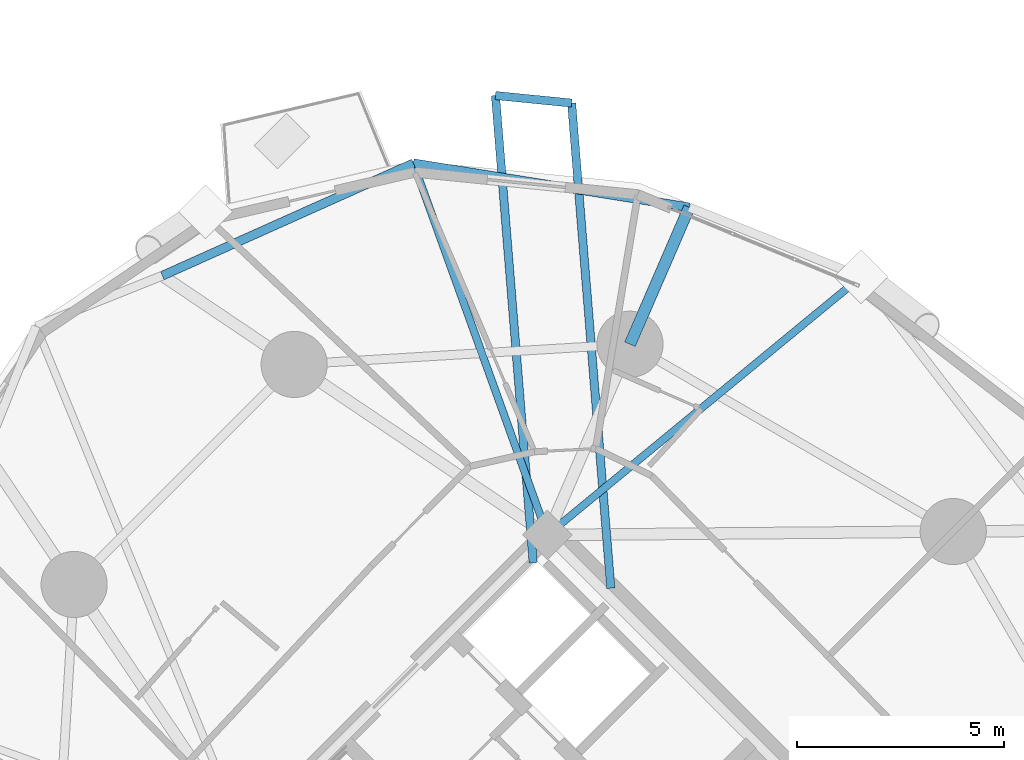
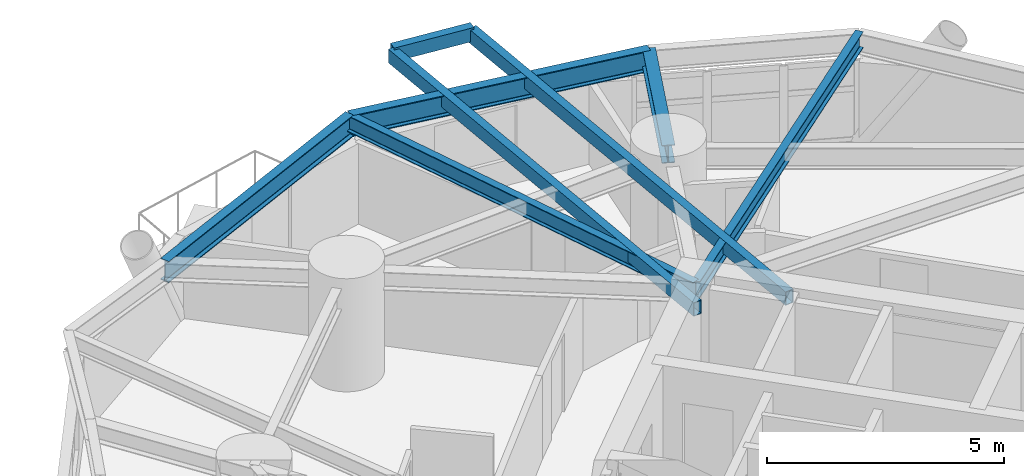
# One storey, part 6 of 19: 8 beams.
"""IFC4 building model written with IfcOpenShell, lengths in metres."""

from ifc_helpers import new_model, si_unit, direction, frame, origin, origin_2d, place, context, subcontext, project, spatial, hollow_rectangle, i_section, extrude, material, material_profile, profile_set, type_object, element, save


model = new_model("IFC4")

# Units and contexts
model_context = context("Model", 3, precision=1e-05, world=origin(), true_north=direction((0.0, 1.0)))
body_context = subcontext(model_context, "Body", "Model", "MODEL_VIEW")
ifc_project = project(units=[si_unit("LENGTHUNIT", "METRE"), si_unit("AREAUNIT", "SQUARE_METRE"), si_unit("VOLUMEUNIT", "CUBIC_METRE"), si_unit("PLANEANGLEUNIT", "RADIAN"), si_unit("MASSUNIT", "GRAM", prefix="KILO")], contexts=[model_context])

# Site, building, storey
site_placement = place(None, origin())
site = spatial("IfcSite", under=ifc_project, at=site_placement, CompositionType="ELEMENT")
building_placement = place(site_placement, origin())
building = spatial("IfcBuilding", under=site, at=building_placement, Name="Cununo Teusaquillo Station Towers", CompositionType="ELEMENT")
storey_placement = place(building_placement, frame((0.0, 0.0, 30.72998046875)))
storey = spatial("IfcBuildingStorey", under=building, at=storey_placement, Name="L08", CompositionType="ELEMENT", Elevation=30.72998046875)

# Beams
ifc_material_1 = material(Name="Steel EN 10025-2 S355J2", Category="steel")
ifc_material_profile_1 = material_profile(ifc_material_1, hollow_rectangle(XDim=0.199951171875, YDim=0.35009765625, WallThickness=0.013916015625, at=origin_2d()), Name="RHS 350x200x14")
ifc_profile_set_1 = profile_set([ifc_material_profile_1], Name="Steel EN 10025-2 S355J2")
beam_type_1 = type_object("IfcBeamType", Name="BM-BAL-CANT", PredefinedType="BEAM", material=ifc_profile_set_1)
beam_1_placement = place(storey_placement, frame((57.828369140625, 31.73779296875, 2.47509765625), z_axis=(-0.080548444941, 0.996750695017, 0.0), x_axis=(-0.996750695017, -0.080548444941, 0.0)))
element("IfcBeam", 1, at=beam_1_placement, inside=storey, type_object=beam_type_1, Name="L08 Tower B Balcony Cantilever Bracket 1A", PredefinedType="BEAM", context=body_context, shape_type="SweptSolid", body=[
    extrude(hollow_rectangle(XDim=0.199951171875, YDim=0.35009765625, WallThickness=0.013916015625, at=origin_2d()), origin(), (0.0, 0.0, 1.0), 11.766357421875),
])
beam_2_placement = place(storey_placement, frame((55.951904296875, 32.3564453125, 2.47509765625), z_axis=(-0.080535797419, 0.996751716996, 0.0), x_axis=(-0.996751716996, -0.080535797419, 0.0)))
element("IfcBeam", 2, at=beam_2_placement, inside=storey, type_object=beam_type_1, Name="L08 Tower B Balcony Cantilever Bracket 1B", PredefinedType="BEAM", context=body_context, shape_type="SweptSolid", body=[
    extrude(hollow_rectangle(XDim=0.199951171875, YDim=0.35009765625, WallThickness=0.013916015625, at=origin_2d()), origin(), (0.0, 0.0, 1.0), 11.32861328125),
])
ifc_material_2 = material(Name="Steel ASTM A572 Grade 50", Category="steel")
ifc_material_profile_2 = material_profile(ifc_material_2, i_section(OverallWidth=0.180908203125, OverallDepth=0.4169921875, WebThickness=0.010986328125, FlangeThickness=0.018310546875, FilletRadius=0.012939453125, at=origin_2d()), Name="W16X57")
ifc_profile_set_2 = profile_set([ifc_material_profile_2], Name="Steel ASTM A572 Grade 50")
beam_type_2 = type_object("IfcBeamType", Name="BM-JOIST-1", PredefinedType="JOIST", material=ifc_profile_set_2)
beam_3_placement = place(storey_placement, frame((56.29443359375, 33.024169921875, 2.44140625), z_axis=(0.772192093976, 0.635389148475, 0.0), x_axis=(-0.635389148475, 0.772192093976, 0.0)))
element("IfcBeam", 3, at=beam_3_placement, inside=storey, type_object=beam_type_2, Name="L08 Tower B Radial Spandrel Joist V01", PredefinedType="JOIST", context=body_context, shape_type="SweptSolid", body=[
    extrude(i_section(OverallWidth=0.180908203125, OverallDepth=0.4169921875, WebThickness=0.010986328125, FlangeThickness=0.018310546875, FilletRadius=0.012939453125, at=origin_2d()), origin(), (0.0, 0.0, 1.0), 9.82080078125),
])
beam_4_placement = place(storey_placement, frame((56.29443359375, 33.024169921875, 2.44140625), z_axis=(-0.33906787056, 0.940761914171, 0.0), x_axis=(-0.940761914171, -0.33906787056, 0.0)))
element("IfcBeam", 4, at=beam_4_placement, inside=storey, type_object=beam_type_2, Name="L08 Tower B Radial Spandrel Joist V03", PredefinedType="JOIST", context=body_context, shape_type="SweptSolid", body=[
    extrude(i_section(OverallWidth=0.180908203125, OverallDepth=0.4169921875, WebThickness=0.010986328125, FlangeThickness=0.018310546875, FilletRadius=0.012939453125, at=origin_2d()), origin(), (0.0, 0.0, 1.0), 9.552734375),
])
ifc_material_3 = material(Name="Steel ASTM A572 Grade 50", Category="steel")
ifc_material_profile_3 = material_profile(ifc_material_3, i_section(OverallWidth=0.280029296875, OverallDepth=0.462890625, WebThickness=0.0107421875, FlangeThickness=0.017333984375, FilletRadius=0.013916015625, at=origin_2d()), Name="W18X76")
ifc_profile_set_3 = profile_set([ifc_material_profile_3], Name="Steel ASTM A572 Grade 50")
beam_type_3 = type_object("IfcBeamType", Name="BM-RAD-G1", PredefinedType="BEAM", material=ifc_profile_set_3)
beam_5_placement = place(storey_placement, frame((58.291015625, 37.63525390625, 2.41845703125), z_axis=(0.397396574727, 0.91764697046, 0.0), x_axis=(-0.91764697046, 0.397396574727, 0.0)))
element("IfcBeam", 5, at=beam_5_placement, inside=storey, type_object=beam_type_3, Name="L08 Tower B Perimeter Overhang Girder 02B", PredefinedType="BEAM", context=body_context, shape_type="SweptSolid", body=[
    extrude(i_section(OverallWidth=0.280029296875, OverallDepth=0.462890625, WebThickness=0.0107421875, FlangeThickness=0.017333984375, FilletRadius=0.013916015625, at=origin_2d()), origin(), (0.0, 0.0, 1.0), 3.60693359375),
])
ifc_material_4 = material(Name="Steel ASTM A572 Grade 50", Category="steel")
ifc_material_profile_4 = material_profile(ifc_material_4, i_section(OverallWidth=0.214111328125, OverallDepth=0.549072265625, WebThickness=0.0146484375, FlangeThickness=0.023681640625, FilletRadius=0.014892578125, at=origin_2d()), Name="W21X93")
ifc_profile_set_4 = profile_set([ifc_material_profile_4], Name="Steel ASTM A572 Grade 50")
beam_type_4 = type_object("IfcBeamType", Name="BM-RING-Z1", PredefinedType="SPANDREL", material=ifc_profile_set_4)
beam_6_placement = place(storey_placement, frame((59.724365234375, 40.945068359375, 2.37548828125), z_axis=(-0.987466335344, 0.157829770834, 0.0), x_axis=(-0.157829770834, -0.987466335344, 0.0)))
element("IfcBeam", 6, at=beam_6_placement, inside=storey, type_object=beam_type_4, Name="L08 Tower B Spandrel Ring Beam 03", PredefinedType="SPANDREL", context=body_context, shape_type="SweptSolid", body=[
    extrude(i_section(OverallWidth=0.214111328125, OverallDepth=0.549072265625, WebThickness=0.0146484375, FlangeThickness=0.023681640625, FilletRadius=0.014892578125, at=origin_2d()), origin(), (0.0, 0.0, 1.0), 6.753662109375),
])
beam_7_placement = place(storey_placement, frame((53.055419921875, 42.010986328125, 2.37548828125), z_axis=(-0.912588695836, -0.408878798951, 0.0), x_axis=(0.408878798951, -0.912588695836, 0.0)))
element("IfcBeam", 7, at=beam_7_placement, inside=storey, type_object=beam_type_4, Name="L08 Tower B Spandrel Ring Beam 04", PredefinedType="SPANDREL", context=body_context, shape_type="SweptSolid", body=[
    extrude(i_section(OverallWidth=0.214111328125, OverallDepth=0.549072265625, WebThickness=0.0146484375, FlangeThickness=0.023681640625, FilletRadius=0.014892578125, at=origin_2d()), origin(), (0.0, 0.0, 1.0), 6.64990234375),
])
ifc_material_5 = material(Name="Steel EN 10025-2 S355J2", Category="steel")
ifc_material_profile_5 = material_profile(ifc_material_5, hollow_rectangle(XDim=0.199951171875, YDim=0.35009765625, WallThickness=0.013916015625, at=origin_2d()), Name="RHS 350x200x14")
ifc_profile_set_5 = profile_set([ifc_material_profile_5], Name="Steel EN 10025-2 S355J2")
beam_type_5 = type_object("IfcBeamType", Name="BM-STAIR-TRIM", PredefinedType="BEAM", material=ifc_profile_set_5)
beam_8_placement = place(storey_placement, frame((56.880615234375, 43.4658203125, 2.52490234375), z_axis=(-0.995129523537, 0.098576018311, 0.0), x_axis=(-0.098576018311, -0.995129523537, 0.0)))
element("IfcBeam", 8, at=beam_8_placement, inside=storey, type_object=beam_type_5, Name="L08 Tower B Balcony Edge Trimmer Beam 1", PredefinedType="BEAM", context=body_context, shape_type="SweptSolid", body=[
    extrude(hollow_rectangle(XDim=0.199951171875, YDim=0.35009765625, WallThickness=0.013916015625, at=origin_2d()), origin(), (0.0, 0.0, 1.0), 1.85009765625),
])

save(model, "model.ifc")
